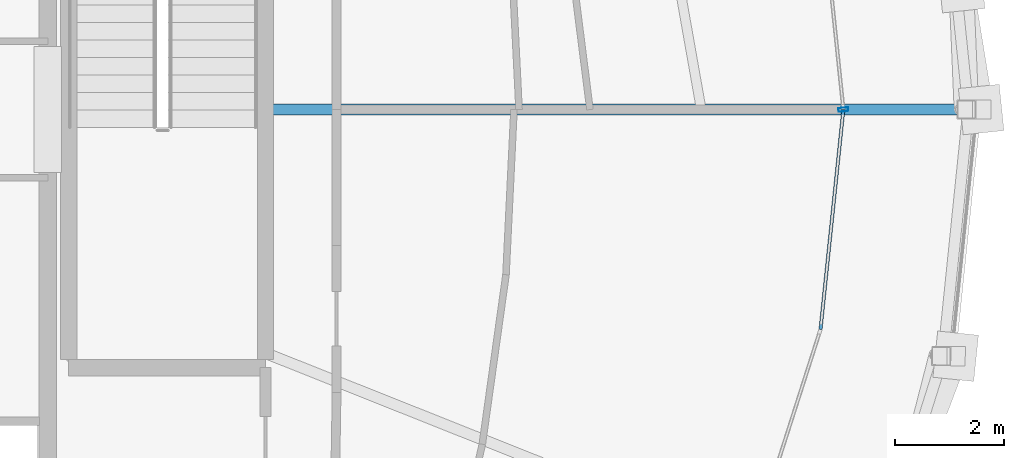
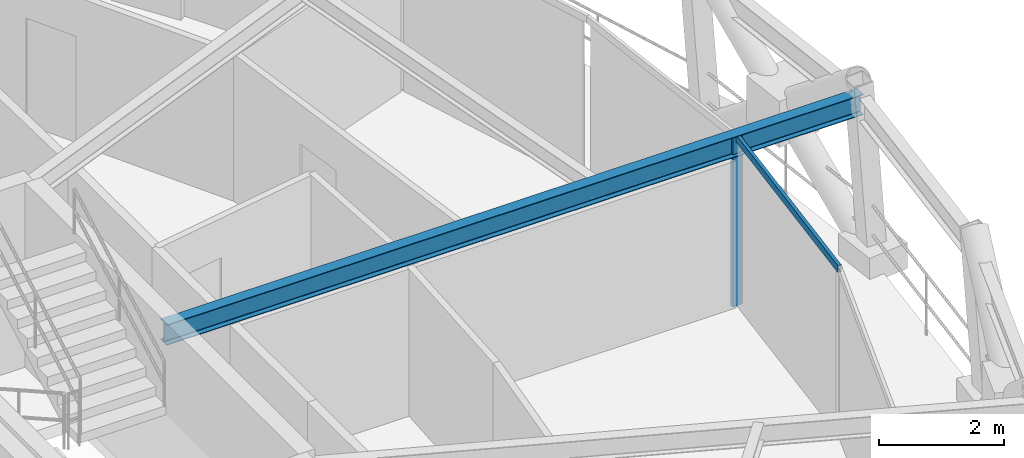
# One storey, part 7 of 18: 2 members, 1 beam, 1 element without a shape of its own.
"""IFC4 building model written with IfcOpenShell, lengths in metres."""

from ifc_helpers import new_model, si_unit, direction, frame, origin, origin_2d, place, context, subcontext, project, spatial, hollow_rectangle, i_section, extrude, material, layer, layer_set, material_profile, profile_set, type_object, element, aggregate, save


model = new_model("IFC4")

# Units and contexts
model_context = context("Model", 3, precision=1e-05, world=origin(), true_north=direction((0.0, 1.0)))
body_context = subcontext(model_context, "Body", "Model", "MODEL_VIEW")
ifc_project = project(units=[si_unit("LENGTHUNIT", "METRE"), si_unit("AREAUNIT", "SQUARE_METRE"), si_unit("VOLUMEUNIT", "CUBIC_METRE"), si_unit("PLANEANGLEUNIT", "RADIAN"), si_unit("MASSUNIT", "GRAM", prefix="KILO")], contexts=[model_context])

# Site, building, storey
site_placement = place(None, origin())
site = spatial("IfcSite", under=ifc_project, at=site_placement, CompositionType="ELEMENT")
building_placement = place(site_placement, origin())
building = spatial("IfcBuilding", under=site, at=building_placement, Name="Veldorina Hangang Commons", CompositionType="ELEMENT")
storey_placement = place(building_placement, frame((0.0, 0.0, 232.800048828125)))
storey = spatial("IfcBuildingStorey", under=building, at=storey_placement, Name="L60", CompositionType="ELEMENT", Elevation=232.800048828125)

# Beam
ifc_material_1 = material(Name="Steel SM355-TMC", Category="steel")
ifc_material_profile_1 = material_profile(ifc_material_1, i_section(OverallWidth=0.199951171875, OverallDepth=0.39990234375, WebThickness=0.008056640625, FlangeThickness=0.012939453125, FilletRadius=0.012939453125, at=origin_2d()), Name="H-400x200x8x13")
ifc_profile_set_1 = profile_set([ifc_material_profile_1], Name="Steel SM355-TMC")
beam_type = type_object("IfcBeamType", Name="BM-FG400", PredefinedType="BEAM", material=ifc_profile_set_1)
beam_placement = place(storey_placement, frame((43.179931640625, 24.0, 3.159912109375), z_axis=(1.0, 0.0, 0.0), x_axis=(0.0, 1.0, 0.0)))
element("IfcBeam", 1, at=beam_placement, inside=storey, type_object=beam_type, Name="L60 radial floor girder 01", PredefinedType="BEAM", context=body_context, shape_type="SweptSolid", body=[
    extrude(i_section(OverallWidth=0.199951171875, OverallDepth=0.39990234375, WebThickness=0.008056640625, FlangeThickness=0.012939453125, FilletRadius=0.012939453125, at=origin_2d()), origin(), (0.0, 0.0, 1.0), 12.85107421875),
])

# Curtain wall, members
ifc_material_2 = material(Name="Glass Low-E Selective", Category="glass")
ifc_layer = layer(ifc_material_2, 0.179931640625)
ifc_layer_set = layer_set([ifc_layer], Name="Glass Low-E Selective")
curtain_wall_type = type_object("IfcCurtainWallType", Name="CW-SYS-Z3", PredefinedType="NOTDEFINED", material=ifc_layer_set)
curtain_wall_placement = place(storey_placement, origin())
curtain_wall = element("IfcCurtainWall", 2, at=curtain_wall_placement, inside=storey, type_object=curtain_wall_type, Name="L60 unitised curtain wall CW-L60-R2", PredefinedType="NOTDEFINED")
ifc_material_3 = material(Name="Aluminium Anodized AA6063-T6", Category="aluminium")
ifc_material_profile_2 = material_profile(ifc_material_3, hollow_rectangle(XDim=0.070068359375, YDim=0.179931640625, WallThickness=0.00390625, at=origin_2d()), Name="ALU-RHS-180x70x4")
ifc_profile_set_2 = profile_set([ifc_material_profile_2], Name="Aluminium Anodized AA6063-T6")
member_type_1 = type_object("IfcMemberType", Name="CW-MUL-180", PredefinedType="MULLION", material=ifc_profile_set_2)
member_1_placement = place(storey_placement, frame((53.745849609375, 24.0, 0.0), z_axis=(0.0, 0.0, 1.0), x_axis=(-0.103417506668, 0.994638034319, 0.0)))
member_1 = element("IfcMember", 3, at=member_1_placement, type_object=member_type_1, Name="CW-L60-R2 vertical mullion 2", PredefinedType="MULLION", context=body_context, shape_type="SweptSolid", body=[
    extrude(hollow_rectangle(XDim=0.070068359375, YDim=0.179931640625, WallThickness=0.00390625, at=origin_2d()), origin(), (0.0, 0.0, 1.0), 3.320068359375),
])
ifc_material_profile_3 = material_profile(ifc_material_3, hollow_rectangle(XDim=0.06005859375, YDim=0.139892578125, WallThickness=0.00341796875, at=origin_2d()), Name="ALU-RHS-140x60x3.5")
ifc_profile_set_3 = profile_set([ifc_material_profile_3], Name="Aluminium Anodized AA6063-T6")
member_type_2 = type_object("IfcMemberType", Name="CW-TRN-140", PredefinedType="USERDEFINED", material=ifc_profile_set_3)
member_2_placement = place(storey_placement, frame((53.328125, 19.9814453125, 3.280029296875), z_axis=(0.103391873411, 0.994640699204, 0.0), x_axis=(-0.994640699204, 0.103391873411, 0.0)))
member_2 = element("IfcMember", 4, at=member_2_placement, type_object=member_type_2, Name="CW-L60-R2 facet 2 transom 1", ObjectType="TRANSOM", PredefinedType="USERDEFINED", context=body_context, shape_type="SweptSolid", body=[
    extrude(hollow_rectangle(XDim=0.06005859375, YDim=0.139892578125, WallThickness=0.00341796875, at=origin_2d()), origin(), (0.0, 0.0, 1.0), 4.040283203125),
])
aggregate(curtain_wall, [member_1, member_2])

save(model, "model.ifc")
